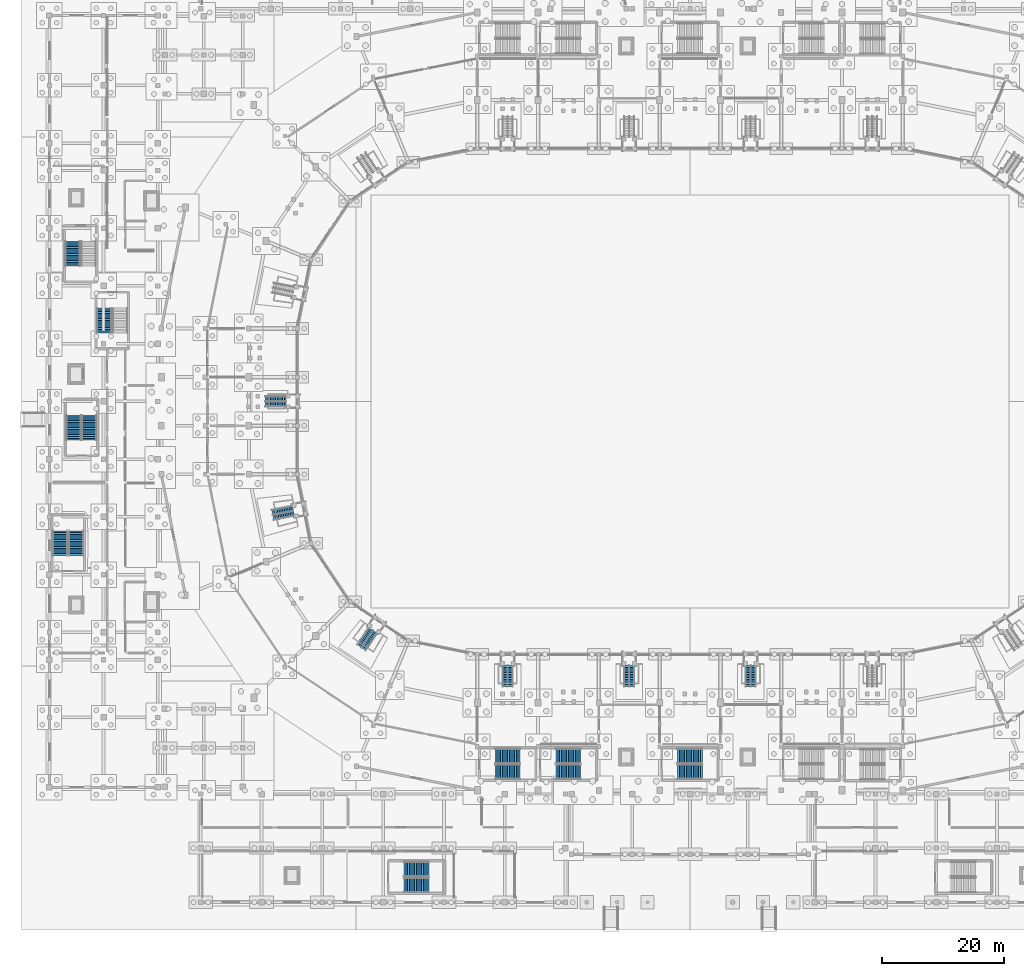
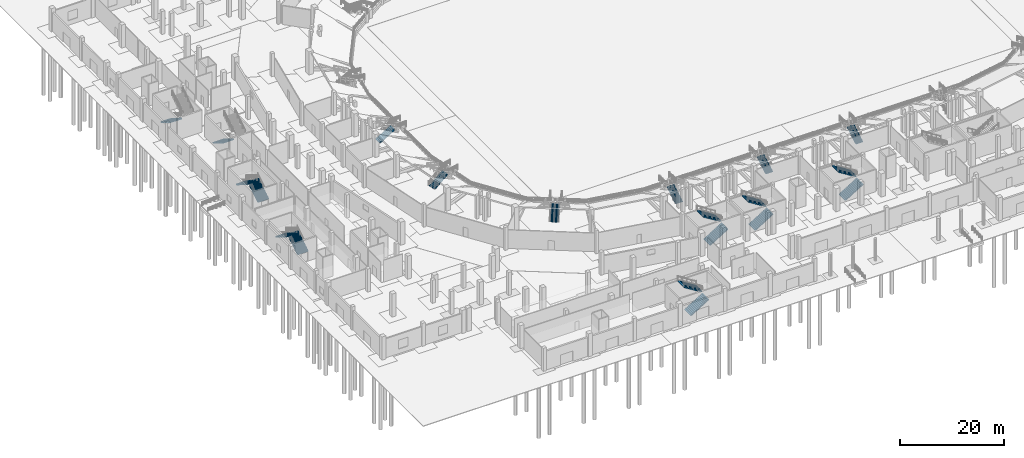
# One storey, part 43 of 68: 20 stair flights, 14 elements without a shape of their own.
"""IFC4 building model written with IfcOpenShell, lengths in metres."""

from ifc_helpers import new_model, si_unit, direction, frame, origin, place, context, subcontext, project, spatial, polyline, outline, extrude, material, type_object, element, aggregate, save


model = new_model("IFC4")

# Units and contexts
model_context = context("Model", 3, precision=1e-05, world=origin(), true_north=direction((0.0, 1.0)))
body_context = subcontext(model_context, "Body", "Model", "MODEL_VIEW")
ifc_project = project(units=[si_unit("LENGTHUNIT", "METRE"), si_unit("AREAUNIT", "SQUARE_METRE"), si_unit("VOLUMEUNIT", "CUBIC_METRE"), si_unit("PLANEANGLEUNIT", "RADIAN"), si_unit("MASSUNIT", "GRAM", prefix="KILO")], contexts=[model_context])

# Site, building, storey
site_placement = place(None, origin())
site = spatial("IfcSite", under=ifc_project, at=site_placement, CompositionType="ELEMENT")
building_placement = place(site_placement, origin())
building = spatial("IfcBuilding", under=site, at=building_placement, Name="Candeia Ridge Stadium", CompositionType="ELEMENT")
storey_placement = place(building_placement, origin())
storey = spatial("IfcBuildingStorey", under=building, at=storey_placement, Name="L00", CompositionType="ELEMENT", Elevation=0.0)

# Stair, stair flights
ifc_material_1 = material(Name="Concrete C40/50", Category="concrete")
stair_type_1 = type_object("IfcStairType", Name="Enclosed Core Half-Turn Stair 2450", PredefinedType="HALF_TURN_STAIR", material=ifc_material_1)
stair_1_placement = place(storey_placement, origin())
stair_1 = element("IfcStair", 1, at=stair_1_placement, inside=storey, type_object=stair_type_1, Name="L00 Enclosed exit stair ST02", PredefinedType="HALF_TURN_STAIR")
ifc_material_2 = material(Name="Precast concrete C40/50", Category="concrete")
stair_flight_type_1 = type_object("IfcStairFlightType", Name="Core Precast Stair Flight 2450", PredefinedType="STRAIGHT", material=ifc_material_2)
stair_flight_1_placement = place(storey_placement, frame((73.949951171875, 22.02490234375, 0.0), z_axis=(0.0, 0.0, 1.0), x_axis=(1.0, 0.0, 0.0)))
stair_flight_1 = element("IfcStairFlight", 2, at=stair_flight_1_placement, type_object=stair_flight_type_1, Name="ST02 flight 1", NumberOfRisers=15, NumberOfTreads=14, PredefinedType="STRAIGHT", RiserHeight=0.18, TreadLength=0.29, context=body_context, shape_type="SweptSolid", body=[
    extrude(outline(polyline([(0.0, 0.0), (0.0, 0.179931640625), (0.2900390625, 0.179931640625), (0.2900390625, 0.360107421875), (0.580078125, 0.360107421875), (0.580078125, 0.5400390625), (0.8701171875, 0.5400390625), (0.8701171875, 0.719970703125), (1.159912109375, 0.719970703125), (1.159912109375, 0.89990234375), (1.449951171875, 0.89990234375), (1.449951171875, 1.080078125), (1.739990234375, 1.080078125), (1.739990234375, 1.260009765625), (2.030029296875, 1.260009765625), (2.030029296875, 1.43994140625), (2.320068359375, 1.43994140625), (2.320068359375, 1.6201171875), (2.610107421875, 1.6201171875), (2.610107421875, 1.800048828125), (2.89990234375, 1.800048828125), (2.89990234375, 1.97998046875), (3.18994140625, 1.97998046875), (3.18994140625, 2.159912109375), (3.47998046875, 2.159912109375), (3.47998046875, 2.340087890625), (3.77001953125, 2.340087890625), (3.77001953125, 2.52001953125), (4.06005859375, 2.52001953125), (4.06005859375, 2.699951171875), (4.06005859375, 2.331787109375), (0.30322265625, 0.0), (0.0, 0.0)])), frame((0.0, 1.22509765625, 0.0), z_axis=(0.0, -1.0, 0.0), x_axis=(1.0, 0.0, 0.0)), (0.0, 0.0, 1.0), 2.449951171875),
])
stair_flight_2_placement = place(storey_placement, frame((78.010009765625, 24.625, 2.699951171875), z_axis=(0.0, 0.0, 1.0), x_axis=(-1.0, 0.0, 0.0)))
stair_flight_2 = element("IfcStairFlight", 3, at=stair_flight_2_placement, type_object=stair_flight_type_1, Name="ST02 flight 2", NumberOfRisers=15, NumberOfTreads=14, PredefinedType="STRAIGHT", RiserHeight=0.18, TreadLength=0.29, context=body_context, shape_type="SweptSolid", body=[
    extrude(outline(polyline([(0.0, 0.0), (0.0, 0.179931640625), (0.2900390625, 0.179931640625), (0.2900390625, 0.360107421875), (0.580078125, 0.360107421875), (0.580078125, 0.5400390625), (0.8701171875, 0.5400390625), (0.8701171875, 0.719970703125), (1.159912109375, 0.719970703125), (1.159912109375, 0.89990234375), (1.449951171875, 0.89990234375), (1.449951171875, 1.080078125), (1.739990234375, 1.080078125), (1.739990234375, 1.260009765625), (2.030029296875, 1.260009765625), (2.030029296875, 1.43994140625), (2.320068359375, 1.43994140625), (2.320068359375, 1.6201171875), (2.610107421875, 1.6201171875), (2.610107421875, 1.800048828125), (2.89990234375, 1.800048828125), (2.89990234375, 1.97998046875), (3.18994140625, 1.97998046875), (3.18994140625, 2.159912109375), (3.47998046875, 2.159912109375), (3.47998046875, 2.340087890625), (3.77001953125, 2.340087890625), (3.77001953125, 2.52001953125), (4.06005859375, 2.52001953125), (4.06005859375, 2.699951171875), (4.06005859375, 2.331787109375), (0.30322265625, 0.0), (0.0, 0.0)])), frame((0.0, 1.22509765625, 0.0), z_axis=(0.0, -1.0, 0.0), x_axis=(1.0, 0.0, 0.0)), (0.0, 0.0, 1.0), 2.449951171875),
])
aggregate(stair_1, [stair_flight_1, stair_flight_2])

stair_2_placement = place(storey_placement, origin())
stair_2 = element("IfcStair", 4, at=stair_2_placement, inside=storey, type_object=stair_type_1, Name="L00 Enclosed exit stair ST05", PredefinedType="HALF_TURN_STAIR")
stair_flight_3_placement = place(storey_placement, frame((4.97509765625, 57.64990234375, 0.0), z_axis=(0.0, 0.0, 1.0), x_axis=(0.0, 1.0, 0.0)))
stair_flight_3 = element("IfcStairFlight", 5, at=stair_flight_3_placement, type_object=stair_flight_type_1, Name="ST05 flight 1", NumberOfRisers=15, NumberOfTreads=14, PredefinedType="STRAIGHT", RiserHeight=0.18, TreadLength=0.29, context=body_context, shape_type="SweptSolid", body=[
    extrude(outline(polyline([(0.0, 0.0), (0.0, 0.179931640625), (0.2900390625, 0.179931640625), (0.2900390625, 0.360107421875), (0.580078125, 0.360107421875), (0.580078125, 0.5400390625), (0.8701171875, 0.5400390625), (0.8701171875, 0.719970703125), (1.159912109375, 0.719970703125), (1.159912109375, 0.89990234375), (1.449951171875, 0.89990234375), (1.449951171875, 1.080078125), (1.739990234375, 1.080078125), (1.739990234375, 1.260009765625), (2.030029296875, 1.260009765625), (2.030029296875, 1.43994140625), (2.320068359375, 1.43994140625), (2.320068359375, 1.6201171875), (2.610107421875, 1.6201171875), (2.610107421875, 1.800048828125), (2.89990234375, 1.800048828125), (2.89990234375, 1.97998046875), (3.18994140625, 1.97998046875), (3.18994140625, 2.159912109375), (3.47998046875, 2.159912109375), (3.47998046875, 2.340087890625), (3.77001953125, 2.340087890625), (3.77001953125, 2.52001953125), (4.06005859375, 2.52001953125), (4.06005859375, 2.699951171875), (4.06005859375, 2.331787109375), (0.30322265625, 0.0), (0.0, 0.0)])), frame((0.0, 1.22509765625, 0.0), z_axis=(0.0, -1.0, 0.0), x_axis=(1.0, 0.0, 0.0)), (0.0, 0.0, 1.0), 2.449951171875),
])
stair_flight_4_placement = place(storey_placement, frame((2.375, 61.7099609375, 2.699951171875), z_axis=(0.0, 0.0, 1.0), x_axis=(0.0, -1.0, 0.0)))
stair_flight_4 = element("IfcStairFlight", 6, at=stair_flight_4_placement, type_object=stair_flight_type_1, Name="ST05 flight 2", NumberOfRisers=15, NumberOfTreads=14, PredefinedType="STRAIGHT", RiserHeight=0.18, TreadLength=0.29, context=body_context, shape_type="SweptSolid", body=[
    extrude(outline(polyline([(0.0, 0.0), (0.0, 0.179931640625), (0.2900390625, 0.179931640625), (0.2900390625, 0.360107421875), (0.580078125, 0.360107421875), (0.580078125, 0.5400390625), (0.8701171875, 0.5400390625), (0.8701171875, 0.719970703125), (1.159912109375, 0.719970703125), (1.159912109375, 0.89990234375), (1.449951171875, 0.89990234375), (1.449951171875, 1.080078125), (1.739990234375, 1.080078125), (1.739990234375, 1.260009765625), (2.030029296875, 1.260009765625), (2.030029296875, 1.43994140625), (2.320068359375, 1.43994140625), (2.320068359375, 1.6201171875), (2.610107421875, 1.6201171875), (2.610107421875, 1.800048828125), (2.89990234375, 1.800048828125), (2.89990234375, 1.97998046875), (3.18994140625, 1.97998046875), (3.18994140625, 2.159912109375), (3.47998046875, 2.159912109375), (3.47998046875, 2.340087890625), (3.77001953125, 2.340087890625), (3.77001953125, 2.52001953125), (4.06005859375, 2.52001953125), (4.06005859375, 2.699951171875), (4.06005859375, 2.331787109375), (0.30322265625, 0.0), (0.0, 0.0)])), frame((0.0, 1.22509765625, 0.0), z_axis=(0.0, -1.0, 0.0), x_axis=(1.0, 0.0, 0.0)), (0.0, 0.0, 1.0), 2.449951171875),
])
aggregate(stair_2, [stair_flight_3, stair_flight_4])

# Stair, stair flight
stair_3_placement = place(storey_placement, origin())
stair_3 = element("IfcStair", 7, at=stair_3_placement, inside=storey, type_object=stair_type_1, Name="L00 Enclosed exit stair ST06", PredefinedType="HALF_TURN_STAIR")
stair_flight_5_placement = place(storey_placement, frame((4.425048828125, 109.35009765625, 0.0), z_axis=(0.0, 0.0, 1.0), x_axis=(0.0, -1.0, 0.0)))
stair_flight_5 = element("IfcStairFlight", 8, at=stair_flight_5_placement, type_object=stair_flight_type_1, Name="ST06 flight 1", NumberOfRisers=15, NumberOfTreads=14, PredefinedType="STRAIGHT", RiserHeight=0.18, TreadLength=0.29, context=body_context, shape_type="SweptSolid", body=[
    extrude(outline(polyline([(0.0, 0.0), (0.0, 0.179931640625), (0.2900390625, 0.179931640625), (0.2900390625, 0.360107421875), (0.580078125, 0.360107421875), (0.580078125, 0.5400390625), (0.8701171875, 0.5400390625), (0.8701171875, 0.719970703125), (1.159912109375, 0.719970703125), (1.159912109375, 0.89990234375), (1.449951171875, 0.89990234375), (1.449951171875, 1.080078125), (1.739990234375, 1.080078125), (1.739990234375, 1.260009765625), (2.030029296875, 1.260009765625), (2.030029296875, 1.43994140625), (2.320068359375, 1.43994140625), (2.320068359375, 1.6201171875), (2.610107421875, 1.6201171875), (2.610107421875, 1.800048828125), (2.89990234375, 1.800048828125), (2.89990234375, 1.97998046875), (3.18994140625, 1.97998046875), (3.18994140625, 2.159912109375), (3.47998046875, 2.159912109375), (3.47998046875, 2.340087890625), (3.77001953125, 2.340087890625), (3.77001953125, 2.52001953125), (4.06005859375, 2.52001953125), (4.06005859375, 2.699951171875), (4.06005859375, 2.331787109375), (0.30322265625, 0.0), (0.0, 0.0)])), frame((0.0, 1.22509765625, 0.0), z_axis=(0.0, -1.0, 0.0), x_axis=(1.0, 0.0, 0.0)), (0.0, 0.0, 1.0), 2.449951171875),
])
aggregate(stair_3, [stair_flight_5])

# Stair, stair flights
stair_4_placement = place(storey_placement, origin())
stair_4 = element("IfcStair", 9, at=stair_4_placement, inside=storey, type_object=stair_type_1, Name="L00 Enclosed exit stair ST07", PredefinedType="HALF_TURN_STAIR")
stair_flight_6_placement = place(storey_placement, frame((7.175048828125, 76.64990234375, 0.0), z_axis=(0.0, 0.0, 1.0), x_axis=(0.0, 1.0, 0.0)))
stair_flight_6 = element("IfcStairFlight", 10, at=stair_flight_6_placement, type_object=stair_flight_type_1, Name="ST07 flight 1", NumberOfRisers=15, NumberOfTreads=14, PredefinedType="STRAIGHT", RiserHeight=0.18, TreadLength=0.29, context=body_context, shape_type="SweptSolid", body=[
    extrude(outline(polyline([(0.0, 0.0), (0.0, 0.179931640625), (0.2900390625, 0.179931640625), (0.2900390625, 0.360107421875), (0.580078125, 0.360107421875), (0.580078125, 0.5400390625), (0.8701171875, 0.5400390625), (0.8701171875, 0.719970703125), (1.159912109375, 0.719970703125), (1.159912109375, 0.89990234375), (1.449951171875, 0.89990234375), (1.449951171875, 1.080078125), (1.739990234375, 1.080078125), (1.739990234375, 1.260009765625), (2.030029296875, 1.260009765625), (2.030029296875, 1.43994140625), (2.320068359375, 1.43994140625), (2.320068359375, 1.6201171875), (2.610107421875, 1.6201171875), (2.610107421875, 1.800048828125), (2.89990234375, 1.800048828125), (2.89990234375, 1.97998046875), (3.18994140625, 1.97998046875), (3.18994140625, 2.159912109375), (3.47998046875, 2.159912109375), (3.47998046875, 2.340087890625), (3.77001953125, 2.340087890625), (3.77001953125, 2.52001953125), (4.06005859375, 2.52001953125), (4.06005859375, 2.699951171875), (4.06005859375, 2.331787109375), (0.30322265625, 0.0), (0.0, 0.0)])), frame((0.0, 1.22509765625, 0.0), z_axis=(0.0, -1.0, 0.0), x_axis=(1.0, 0.0, 0.0)), (0.0, 0.0, 1.0), 2.449951171875),
])
stair_flight_7_placement = place(storey_placement, frame((4.574951171875, 80.7099609375, 2.699951171875), z_axis=(0.0, 0.0, 1.0), x_axis=(0.0, -1.0, 0.0)))
stair_flight_7 = element("IfcStairFlight", 11, at=stair_flight_7_placement, type_object=stair_flight_type_1, Name="ST07 flight 2", NumberOfRisers=15, NumberOfTreads=14, PredefinedType="STRAIGHT", RiserHeight=0.18, TreadLength=0.29, context=body_context, shape_type="SweptSolid", body=[
    extrude(outline(polyline([(0.0, 0.0), (0.0, 0.179931640625), (0.2900390625, 0.179931640625), (0.2900390625, 0.360107421875), (0.580078125, 0.360107421875), (0.580078125, 0.5400390625), (0.8701171875, 0.5400390625), (0.8701171875, 0.719970703125), (1.159912109375, 0.719970703125), (1.159912109375, 0.89990234375), (1.449951171875, 0.89990234375), (1.449951171875, 1.080078125), (1.739990234375, 1.080078125), (1.739990234375, 1.260009765625), (2.030029296875, 1.260009765625), (2.030029296875, 1.43994140625), (2.320068359375, 1.43994140625), (2.320068359375, 1.6201171875), (2.610107421875, 1.6201171875), (2.610107421875, 1.800048828125), (2.89990234375, 1.800048828125), (2.89990234375, 1.97998046875), (3.18994140625, 1.97998046875), (3.18994140625, 2.159912109375), (3.47998046875, 2.159912109375), (3.47998046875, 2.340087890625), (3.77001953125, 2.340087890625), (3.77001953125, 2.52001953125), (4.06005859375, 2.52001953125), (4.06005859375, 2.699951171875), (4.06005859375, 2.331787109375), (0.30322265625, 0.0), (0.0, 0.0)])), frame((0.0, 1.22509765625, 0.0), z_axis=(0.0, -1.0, 0.0), x_axis=(1.0, 0.0, 0.0)), (0.0, 0.0, 1.0), 2.449951171875),
])
aggregate(stair_4, [stair_flight_6, stair_flight_7])

# Stair, stair flight
stair_5_placement = place(storey_placement, origin())
stair_5 = element("IfcStair", 12, at=stair_5_placement, inside=storey, type_object=stair_type_1, Name="L00 Enclosed exit stair ST08", PredefinedType="HALF_TURN_STAIR")
stair_flight_8_placement = place(storey_placement, frame((9.625, 98.35009765625, 0.0), z_axis=(0.0, 0.0, 1.0), x_axis=(0.0, -1.0, 0.0)))
stair_flight_8 = element("IfcStairFlight", 13, at=stair_flight_8_placement, type_object=stair_flight_type_1, Name="ST08 flight 1", NumberOfRisers=15, NumberOfTreads=14, PredefinedType="STRAIGHT", RiserHeight=0.18, TreadLength=0.29, context=body_context, shape_type="SweptSolid", body=[
    extrude(outline(polyline([(0.0, 0.0), (0.0, 0.179931640625), (0.2900390625, 0.179931640625), (0.2900390625, 0.360107421875), (0.580078125, 0.360107421875), (0.580078125, 0.5400390625), (0.8701171875, 0.5400390625), (0.8701171875, 0.719970703125), (1.159912109375, 0.719970703125), (1.159912109375, 0.89990234375), (1.449951171875, 0.89990234375), (1.449951171875, 1.080078125), (1.739990234375, 1.080078125), (1.739990234375, 1.260009765625), (2.030029296875, 1.260009765625), (2.030029296875, 1.43994140625), (2.320068359375, 1.43994140625), (2.320068359375, 1.6201171875), (2.610107421875, 1.6201171875), (2.610107421875, 1.800048828125), (2.89990234375, 1.800048828125), (2.89990234375, 1.97998046875), (3.18994140625, 1.97998046875), (3.18994140625, 2.159912109375), (3.47998046875, 2.159912109375), (3.47998046875, 2.340087890625), (3.77001953125, 2.340087890625), (3.77001953125, 2.52001953125), (4.06005859375, 2.52001953125), (4.06005859375, 2.699951171875), (4.06005859375, 2.331787109375), (0.30322265625, 0.0), (0.0, 0.0)])), frame((0.0, 1.22509765625, 0.0), z_axis=(0.0, -1.0, 0.0), x_axis=(1.0, 0.0, 0.0)), (0.0, 0.0, 1.0), 2.449951171875),
])
aggregate(stair_5, [stair_flight_8])

# Stair, stair flights
stair_6_placement = place(storey_placement, origin())
stair_6 = element("IfcStair", 14, at=stair_6_placement, inside=storey, type_object=stair_type_1, Name="L00 Enclosed exit stair ST11", PredefinedType="HALF_TURN_STAIR")
stair_flight_9_placement = place(storey_placement, frame((83.949951171875, 22.02490234375, 0.0), z_axis=(0.0, 0.0, 1.0), x_axis=(1.0, 0.0, 0.0)))
stair_flight_9 = element("IfcStairFlight", 15, at=stair_flight_9_placement, type_object=stair_flight_type_1, Name="ST11 flight 1", NumberOfRisers=15, NumberOfTreads=14, PredefinedType="STRAIGHT", RiserHeight=0.18, TreadLength=0.29, context=body_context, shape_type="SweptSolid", body=[
    extrude(outline(polyline([(0.0, 0.0), (0.0, 0.179931640625), (0.2900390625, 0.179931640625), (0.2900390625, 0.360107421875), (0.580078125, 0.360107421875), (0.580078125, 0.5400390625), (0.8701171875, 0.5400390625), (0.8701171875, 0.719970703125), (1.159912109375, 0.719970703125), (1.159912109375, 0.89990234375), (1.449951171875, 0.89990234375), (1.449951171875, 1.080078125), (1.739990234375, 1.080078125), (1.739990234375, 1.260009765625), (2.030029296875, 1.260009765625), (2.030029296875, 1.43994140625), (2.320068359375, 1.43994140625), (2.320068359375, 1.6201171875), (2.610107421875, 1.6201171875), (2.610107421875, 1.800048828125), (2.89990234375, 1.800048828125), (2.89990234375, 1.97998046875), (3.18994140625, 1.97998046875), (3.18994140625, 2.159912109375), (3.47998046875, 2.159912109375), (3.47998046875, 2.340087890625), (3.77001953125, 2.340087890625), (3.77001953125, 2.52001953125), (4.06005859375, 2.52001953125), (4.06005859375, 2.699951171875), (4.06005859375, 2.331787109375), (0.30322265625, 0.0), (0.0, 0.0)])), frame((0.0, 1.22509765625, 0.0), z_axis=(0.0, -1.0, 0.0), x_axis=(1.0, 0.0, 0.0)), (0.0, 0.0, 1.0), 2.449951171875),
])
stair_flight_10_placement = place(storey_placement, frame((88.010009765625, 24.625, 2.699951171875), z_axis=(0.0, 0.0, 1.0), x_axis=(-1.0, 0.0, 0.0)))
stair_flight_10 = element("IfcStairFlight", 16, at=stair_flight_10_placement, type_object=stair_flight_type_1, Name="ST11 flight 2", NumberOfRisers=15, NumberOfTreads=14, PredefinedType="STRAIGHT", RiserHeight=0.18, TreadLength=0.29, context=body_context, shape_type="SweptSolid", body=[
    extrude(outline(polyline([(0.0, 0.0), (0.0, 0.179931640625), (0.2900390625, 0.179931640625), (0.2900390625, 0.360107421875), (0.580078125, 0.360107421875), (0.580078125, 0.5400390625), (0.8701171875, 0.5400390625), (0.8701171875, 0.719970703125), (1.159912109375, 0.719970703125), (1.159912109375, 0.89990234375), (1.449951171875, 0.89990234375), (1.449951171875, 1.080078125), (1.739990234375, 1.080078125), (1.739990234375, 1.260009765625), (2.030029296875, 1.260009765625), (2.030029296875, 1.43994140625), (2.320068359375, 1.43994140625), (2.320068359375, 1.6201171875), (2.610107421875, 1.6201171875), (2.610107421875, 1.800048828125), (2.89990234375, 1.800048828125), (2.89990234375, 1.97998046875), (3.18994140625, 1.97998046875), (3.18994140625, 2.159912109375), (3.47998046875, 2.159912109375), (3.47998046875, 2.340087890625), (3.77001953125, 2.340087890625), (3.77001953125, 2.52001953125), (4.06005859375, 2.52001953125), (4.06005859375, 2.699951171875), (4.06005859375, 2.331787109375), (0.30322265625, 0.0), (0.0, 0.0)])), frame((0.0, 1.22509765625, 0.0), z_axis=(0.0, -1.0, 0.0), x_axis=(1.0, 0.0, 0.0)), (0.0, 0.0, 1.0), 2.449951171875),
])
aggregate(stair_6, [stair_flight_9, stair_flight_10])

stair_7_placement = place(storey_placement, origin())
stair_7 = element("IfcStair", 17, at=stair_7_placement, inside=storey, type_object=stair_type_1, Name="L00 Enclosed exit stair ST13", PredefinedType="HALF_TURN_STAIR")
stair_flight_11_placement = place(storey_placement, frame((58.949951171875, 3.425048828125, 0.0), z_axis=(0.0, 0.0, 1.0), x_axis=(1.0, 0.0, 0.0)))
stair_flight_11 = element("IfcStairFlight", 18, at=stair_flight_11_placement, type_object=stair_flight_type_1, Name="ST13 flight 1", NumberOfRisers=15, NumberOfTreads=14, PredefinedType="STRAIGHT", RiserHeight=0.18, TreadLength=0.29, context=body_context, shape_type="SweptSolid", body=[
    extrude(outline(polyline([(0.0, 0.0), (0.0, 0.179931640625), (0.2900390625, 0.179931640625), (0.2900390625, 0.360107421875), (0.580078125, 0.360107421875), (0.580078125, 0.5400390625), (0.8701171875, 0.5400390625), (0.8701171875, 0.719970703125), (1.159912109375, 0.719970703125), (1.159912109375, 0.89990234375), (1.449951171875, 0.89990234375), (1.449951171875, 1.080078125), (1.739990234375, 1.080078125), (1.739990234375, 1.260009765625), (2.030029296875, 1.260009765625), (2.030029296875, 1.43994140625), (2.320068359375, 1.43994140625), (2.320068359375, 1.6201171875), (2.610107421875, 1.6201171875), (2.610107421875, 1.800048828125), (2.89990234375, 1.800048828125), (2.89990234375, 1.97998046875), (3.18994140625, 1.97998046875), (3.18994140625, 2.159912109375), (3.47998046875, 2.159912109375), (3.47998046875, 2.340087890625), (3.77001953125, 2.340087890625), (3.77001953125, 2.52001953125), (4.06005859375, 2.52001953125), (4.06005859375, 2.699951171875), (4.06005859375, 2.331787109375), (0.30322265625, 0.0), (0.0, 0.0)])), frame((0.0, 1.22509765625, 0.0), z_axis=(0.0, -1.0, 0.0), x_axis=(1.0, 0.0, 0.0)), (0.0, 0.0, 1.0), 2.449951171875),
])
stair_flight_12_placement = place(storey_placement, frame((63.010009765625, 6.02490234375, 2.699951171875), z_axis=(0.0, 0.0, 1.0), x_axis=(-1.0, 0.0, 0.0)))
stair_flight_12 = element("IfcStairFlight", 19, at=stair_flight_12_placement, type_object=stair_flight_type_1, Name="ST13 flight 2", NumberOfRisers=15, NumberOfTreads=14, PredefinedType="STRAIGHT", RiserHeight=0.18, TreadLength=0.29, context=body_context, shape_type="SweptSolid", body=[
    extrude(outline(polyline([(0.0, 0.0), (0.0, 0.179931640625), (0.2900390625, 0.179931640625), (0.2900390625, 0.360107421875), (0.580078125, 0.360107421875), (0.580078125, 0.5400390625), (0.8701171875, 0.5400390625), (0.8701171875, 0.719970703125), (1.159912109375, 0.719970703125), (1.159912109375, 0.89990234375), (1.449951171875, 0.89990234375), (1.449951171875, 1.080078125), (1.739990234375, 1.080078125), (1.739990234375, 1.260009765625), (2.030029296875, 1.260009765625), (2.030029296875, 1.43994140625), (2.320068359375, 1.43994140625), (2.320068359375, 1.6201171875), (2.610107421875, 1.6201171875), (2.610107421875, 1.800048828125), (2.89990234375, 1.800048828125), (2.89990234375, 1.97998046875), (3.18994140625, 1.97998046875), (3.18994140625, 2.159912109375), (3.47998046875, 2.159912109375), (3.47998046875, 2.340087890625), (3.77001953125, 2.340087890625), (3.77001953125, 2.52001953125), (4.06005859375, 2.52001953125), (4.06005859375, 2.699951171875), (4.06005859375, 2.331787109375), (0.30322265625, 0.0), (0.0, 0.0)])), frame((0.0, 1.22509765625, 0.0), z_axis=(0.0, -1.0, 0.0), x_axis=(1.0, 0.0, 0.0)), (0.0, 0.0, 1.0), 2.449951171875),
])
aggregate(stair_7, [stair_flight_11, stair_flight_12])

stair_8_placement = place(storey_placement, origin())
stair_8 = element("IfcStair", 20, at=stair_8_placement, inside=storey, type_object=stair_type_1, Name="L00 Enclosed exit stair ST18", PredefinedType="HALF_TURN_STAIR")
stair_flight_13_placement = place(storey_placement, frame((103.949951171875, 22.02490234375, 0.0), z_axis=(0.0, 0.0, 1.0), x_axis=(1.0, 0.0, 0.0)))
stair_flight_13 = element("IfcStairFlight", 21, at=stair_flight_13_placement, type_object=stair_flight_type_1, Name="ST18 flight 1", NumberOfRisers=15, NumberOfTreads=14, PredefinedType="STRAIGHT", RiserHeight=0.18, TreadLength=0.29, context=body_context, shape_type="SweptSolid", body=[
    extrude(outline(polyline([(0.0, 0.0), (0.0, 0.179931640625), (0.2900390625, 0.179931640625), (0.2900390625, 0.360107421875), (0.580078125, 0.360107421875), (0.580078125, 0.5400390625), (0.8701171875, 0.5400390625), (0.8701171875, 0.719970703125), (1.159912109375, 0.719970703125), (1.159912109375, 0.89990234375), (1.449951171875, 0.89990234375), (1.449951171875, 1.080078125), (1.739990234375, 1.080078125), (1.739990234375, 1.260009765625), (2.030029296875, 1.260009765625), (2.030029296875, 1.43994140625), (2.320068359375, 1.43994140625), (2.320068359375, 1.6201171875), (2.610107421875, 1.6201171875), (2.610107421875, 1.800048828125), (2.89990234375, 1.800048828125), (2.89990234375, 1.97998046875), (3.18994140625, 1.97998046875), (3.18994140625, 2.159912109375), (3.47998046875, 2.159912109375), (3.47998046875, 2.340087890625), (3.77001953125, 2.340087890625), (3.77001953125, 2.52001953125), (4.06005859375, 2.52001953125), (4.06005859375, 2.699951171875), (4.06005859375, 2.331787109375), (0.30322265625, 0.0), (0.0, 0.0)])), frame((0.0, 1.22509765625, 0.0), z_axis=(0.0, -1.0, 0.0), x_axis=(1.0, 0.0, 0.0)), (0.0, 0.0, 1.0), 2.449951171875),
])
stair_flight_14_placement = place(storey_placement, frame((108.010009765625, 24.625, 2.699951171875), z_axis=(0.0, 0.0, 1.0), x_axis=(-1.0, 0.0, 0.0)))
stair_flight_14 = element("IfcStairFlight", 22, at=stair_flight_14_placement, type_object=stair_flight_type_1, Name="ST18 flight 2", NumberOfRisers=15, NumberOfTreads=14, PredefinedType="STRAIGHT", RiserHeight=0.18, TreadLength=0.29, context=body_context, shape_type="SweptSolid", body=[
    extrude(outline(polyline([(0.0, 0.0), (0.0, 0.179931640625), (0.2900390625, 0.179931640625), (0.2900390625, 0.360107421875), (0.580078125, 0.360107421875), (0.580078125, 0.5400390625), (0.8701171875, 0.5400390625), (0.8701171875, 0.719970703125), (1.159912109375, 0.719970703125), (1.159912109375, 0.89990234375), (1.449951171875, 0.89990234375), (1.449951171875, 1.080078125), (1.739990234375, 1.080078125), (1.739990234375, 1.260009765625), (2.030029296875, 1.260009765625), (2.030029296875, 1.43994140625), (2.320068359375, 1.43994140625), (2.320068359375, 1.6201171875), (2.610107421875, 1.6201171875), (2.610107421875, 1.800048828125), (2.89990234375, 1.800048828125), (2.89990234375, 1.97998046875), (3.18994140625, 1.97998046875), (3.18994140625, 2.159912109375), (3.47998046875, 2.159912109375), (3.47998046875, 2.340087890625), (3.77001953125, 2.340087890625), (3.77001953125, 2.52001953125), (4.06005859375, 2.52001953125), (4.06005859375, 2.699951171875), (4.06005859375, 2.331787109375), (0.30322265625, 0.0), (0.0, 0.0)])), frame((0.0, 1.22509765625, 0.0), z_axis=(0.0, -1.0, 0.0), x_axis=(1.0, 0.0, 0.0)), (0.0, 0.0, 1.0), 2.449951171875),
])
aggregate(stair_8, [stair_flight_13, stair_flight_14])

# Stair, stair flight
ifc_material_3 = material(Name="Precast concrete C45/55", Category="concrete")
stair_type_2 = type_object("IfcStairType", Name="Spectator Vomitory Straight Stair 2200", PredefinedType="STRAIGHT_RUN_STAIR", material=ifc_material_3)
stair_9_placement = place(storey_placement, origin())
stair_9 = element("IfcStair", 23, at=stair_9_placement, inside=storey, type_object=stair_type_2, Name="Vomitory stair VS07", PredefinedType="STRAIGHT_RUN_STAIR")
stair_flight_type_2 = type_object("IfcStairFlightType", Name="Vomitory Precast Stair Flight 2200", PredefinedType="STRAIGHT", material=ifc_material_3)
stair_flight_15_placement = place(storey_placement, frame((36.10791015625, 83.0, 0.0), z_axis=(0.0, 0.0, 1.0), x_axis=(1.0, 0.0, 0.0)))
stair_flight_15 = element("IfcStairFlight", 24, at=stair_flight_15_placement, type_object=stair_flight_type_2, Name="VS07 flight 1", NumberOfRisers=13, NumberOfTreads=12, PredefinedType="STRAIGHT", RiserHeight=0.172308, TreadLength=0.285, context=body_context, shape_type="SweptSolid", body=[
    extrude(outline(polyline([(0.0, 0.0), (0.0, 0.17236328125), (0.284912109375, 0.17236328125), (0.284912109375, 0.3447265625), (0.570068359375, 0.3447265625), (0.570068359375, 0.516845703125), (0.85498046875, 0.516845703125), (0.85498046875, 0.689208984375), (1.139892578125, 0.689208984375), (1.139892578125, 0.861572265625), (1.425048828125, 0.861572265625), (1.425048828125, 1.033935546875), (1.7099609375, 1.033935546875), (1.7099609375, 1.2060546875), (1.9951171875, 1.2060546875), (1.9951171875, 1.37841796875), (2.280029296875, 1.37841796875), (2.280029296875, 1.55078125), (2.56494140625, 1.55078125), (2.56494140625, 1.72314453125), (2.85009765625, 1.72314453125), (2.85009765625, 1.8955078125), (3.135009765625, 1.8955078125), (3.135009765625, 2.067626953125), (3.419921875, 2.067626953125), (3.419921875, 2.239990234375), (3.419921875, 1.857421875), (0.34765625, 0.0), (0.0, 0.0)])), frame((0.0, 0.800048828125, 0.0), z_axis=(0.0, -1.0, 0.0), x_axis=(1.0, 0.0, 0.0)), (0.0, 0.0, 1.0), 1.60009765625),
])
aggregate(stair_9, [stair_flight_15])

stair_10_placement = place(storey_placement, origin())
stair_10 = element("IfcStair", 25, at=stair_10_placement, inside=storey, type_object=stair_type_2, Name="Vomitory stair VS08", PredefinedType="STRAIGHT_RUN_STAIR")
stair_flight_16_placement = place(storey_placement, frame((37.37158203125, 64.310791015625, 0.0), z_axis=(0.0, 0.0, 1.0), x_axis=(0.980785280403, 0.195090322016, 0.0)))
stair_flight_16 = element("IfcStairFlight", 26, at=stair_flight_16_placement, type_object=stair_flight_type_2, Name="VS08 flight 1", NumberOfRisers=13, NumberOfTreads=12, PredefinedType="STRAIGHT", RiserHeight=0.172308, TreadLength=0.285, context=body_context, shape_type="SweptSolid", body=[
    extrude(outline(polyline([(0.0, 0.0), (0.0, 0.17236328125), (0.284912109375, 0.17236328125), (0.284912109375, 0.3447265625), (0.570068359375, 0.3447265625), (0.570068359375, 0.516845703125), (0.85498046875, 0.516845703125), (0.85498046875, 0.689208984375), (1.139892578125, 0.689208984375), (1.139892578125, 0.861572265625), (1.425048828125, 0.861572265625), (1.425048828125, 1.033935546875), (1.7099609375, 1.033935546875), (1.7099609375, 1.2060546875), (1.9951171875, 1.2060546875), (1.9951171875, 1.37841796875), (2.280029296875, 1.37841796875), (2.280029296875, 1.55078125), (2.56494140625, 1.55078125), (2.56494140625, 1.72314453125), (2.85009765625, 1.72314453125), (2.85009765625, 1.8955078125), (3.135009765625, 1.8955078125), (3.135009765625, 2.067626953125), (3.419921875, 2.067626953125), (3.419921875, 2.239990234375), (3.419921875, 1.857421875), (0.34765625, 0.0), (0.0, 0.0)])), frame((0.0, 0.800048828125, 0.0), z_axis=(0.0, -1.0, 0.0), x_axis=(1.0, 0.0, 0.0)), (0.0, 0.0, 1.0), 1.60009765625),
])
aggregate(stair_10, [stair_flight_16])

stair_11_placement = place(storey_placement, origin())
stair_11 = element("IfcStair", 27, at=stair_11_placement, inside=storey, type_object=stair_type_2, Name="Vomitory stair VS09", PredefinedType="STRAIGHT_RUN_STAIR")
stair_flight_17_placement = place(storey_placement, frame((51.950927734375, 42.4912109375, 0.0), z_axis=(0.0, 0.0, 1.0), x_axis=(0.55557023302, 0.831469612303, 0.0)))
stair_flight_17 = element("IfcStairFlight", 28, at=stair_flight_17_placement, type_object=stair_flight_type_2, Name="VS09 flight 1", NumberOfRisers=13, NumberOfTreads=12, PredefinedType="STRAIGHT", RiserHeight=0.172308, TreadLength=0.285, context=body_context, shape_type="SweptSolid", body=[
    extrude(outline(polyline([(0.0, 0.0), (0.0, 0.17236328125), (0.284912109375, 0.17236328125), (0.284912109375, 0.3447265625), (0.570068359375, 0.3447265625), (0.570068359375, 0.516845703125), (0.85498046875, 0.516845703125), (0.85498046875, 0.689208984375), (1.139892578125, 0.689208984375), (1.139892578125, 0.861572265625), (1.425048828125, 0.861572265625), (1.425048828125, 1.033935546875), (1.7099609375, 1.033935546875), (1.7099609375, 1.2060546875), (1.9951171875, 1.2060546875), (1.9951171875, 1.37841796875), (2.280029296875, 1.37841796875), (2.280029296875, 1.55078125), (2.56494140625, 1.55078125), (2.56494140625, 1.72314453125), (2.85009765625, 1.72314453125), (2.85009765625, 1.8955078125), (3.135009765625, 1.8955078125), (3.135009765625, 2.067626953125), (3.419921875, 2.067626953125), (3.419921875, 2.239990234375), (3.419921875, 1.857421875), (0.34765625, 0.0), (0.0, 0.0)])), frame((0.0, 0.800048828125, 0.0), z_axis=(0.0, -1.0, 0.0), x_axis=(1.0, 0.0, 0.0)), (0.0, 0.0, 1.0), 1.60009765625),
])
aggregate(stair_11, [stair_flight_17])

stair_12_placement = place(storey_placement, origin())
stair_12 = element("IfcStair", 29, at=stair_12_placement, inside=storey, type_object=stair_type_2, Name="Vomitory stair VS10", PredefinedType="STRAIGHT_RUN_STAIR")
stair_flight_18_placement = place(storey_placement, frame((76.0, 36.10791015625, 0.0), z_axis=(0.0, 0.0, 1.0), x_axis=(0.0, 1.0, 0.0)))
stair_flight_18 = element("IfcStairFlight", 30, at=stair_flight_18_placement, type_object=stair_flight_type_2, Name="VS10 flight 1", NumberOfRisers=13, NumberOfTreads=12, PredefinedType="STRAIGHT", RiserHeight=0.172308, TreadLength=0.285, context=body_context, shape_type="SweptSolid", body=[
    extrude(outline(polyline([(0.0, 0.0), (0.0, 0.17236328125), (0.284912109375, 0.17236328125), (0.284912109375, 0.3447265625), (0.570068359375, 0.3447265625), (0.570068359375, 0.516845703125), (0.85498046875, 0.516845703125), (0.85498046875, 0.689208984375), (1.139892578125, 0.689208984375), (1.139892578125, 0.861572265625), (1.425048828125, 0.861572265625), (1.425048828125, 1.033935546875), (1.7099609375, 1.033935546875), (1.7099609375, 1.2060546875), (1.9951171875, 1.2060546875), (1.9951171875, 1.37841796875), (2.280029296875, 1.37841796875), (2.280029296875, 1.55078125), (2.56494140625, 1.55078125), (2.56494140625, 1.72314453125), (2.85009765625, 1.72314453125), (2.85009765625, 1.8955078125), (3.135009765625, 1.8955078125), (3.135009765625, 2.067626953125), (3.419921875, 2.067626953125), (3.419921875, 2.239990234375), (3.419921875, 1.857421875), (0.34765625, 0.0), (0.0, 0.0)])), frame((0.0, 0.800048828125, 0.0), z_axis=(0.0, -1.0, 0.0), x_axis=(1.0, 0.0, 0.0)), (0.0, 0.0, 1.0), 1.60009765625),
])
aggregate(stair_12, [stair_flight_18])

stair_13_placement = place(storey_placement, origin())
stair_13 = element("IfcStair", 31, at=stair_13_placement, inside=storey, type_object=stair_type_2, Name="Vomitory stair VS11", PredefinedType="STRAIGHT_RUN_STAIR")
stair_flight_19_placement = place(storey_placement, frame((96.0, 36.10791015625, 0.0), z_axis=(0.0, 0.0, 1.0), x_axis=(0.0, 1.0, 0.0)))
stair_flight_19 = element("IfcStairFlight", 32, at=stair_flight_19_placement, type_object=stair_flight_type_2, Name="VS11 flight 1", NumberOfRisers=13, NumberOfTreads=12, PredefinedType="STRAIGHT", RiserHeight=0.172308, TreadLength=0.285, context=body_context, shape_type="SweptSolid", body=[
    extrude(outline(polyline([(0.0, 0.0), (0.0, 0.17236328125), (0.284912109375, 0.17236328125), (0.284912109375, 0.3447265625), (0.570068359375, 0.3447265625), (0.570068359375, 0.516845703125), (0.85498046875, 0.516845703125), (0.85498046875, 0.689208984375), (1.139892578125, 0.689208984375), (1.139892578125, 0.861572265625), (1.425048828125, 0.861572265625), (1.425048828125, 1.033935546875), (1.7099609375, 1.033935546875), (1.7099609375, 1.2060546875), (1.9951171875, 1.2060546875), (1.9951171875, 1.37841796875), (2.280029296875, 1.37841796875), (2.280029296875, 1.55078125), (2.56494140625, 1.55078125), (2.56494140625, 1.72314453125), (2.85009765625, 1.72314453125), (2.85009765625, 1.8955078125), (3.135009765625, 1.8955078125), (3.135009765625, 2.067626953125), (3.419921875, 2.067626953125), (3.419921875, 2.239990234375), (3.419921875, 1.857421875), (0.34765625, 0.0), (0.0, 0.0)])), frame((0.0, 0.800048828125, 0.0), z_axis=(0.0, -1.0, 0.0), x_axis=(1.0, 0.0, 0.0)), (0.0, 0.0, 1.0), 1.60009765625),
])
aggregate(stair_13, [stair_flight_19])

stair_14_placement = place(storey_placement, origin())
stair_14 = element("IfcStair", 33, at=stair_14_placement, inside=storey, type_object=stair_type_2, Name="Vomitory stair VS12", PredefinedType="STRAIGHT_RUN_STAIR")
stair_flight_20_placement = place(storey_placement, frame((116.0, 36.10791015625, 0.0), z_axis=(0.0, 0.0, 1.0), x_axis=(0.0, 1.0, 0.0)))
stair_flight_20 = element("IfcStairFlight", 34, at=stair_flight_20_placement, type_object=stair_flight_type_2, Name="VS12 flight 1", NumberOfRisers=13, NumberOfTreads=12, PredefinedType="STRAIGHT", RiserHeight=0.172308, TreadLength=0.285, context=body_context, shape_type="SweptSolid", body=[
    extrude(outline(polyline([(0.0, 0.0), (0.0, 0.17236328125), (0.284912109375, 0.17236328125), (0.284912109375, 0.3447265625), (0.570068359375, 0.3447265625), (0.570068359375, 0.516845703125), (0.85498046875, 0.516845703125), (0.85498046875, 0.689208984375), (1.139892578125, 0.689208984375), (1.139892578125, 0.861572265625), (1.425048828125, 0.861572265625), (1.425048828125, 1.033935546875), (1.7099609375, 1.033935546875), (1.7099609375, 1.2060546875), (1.9951171875, 1.2060546875), (1.9951171875, 1.37841796875), (2.280029296875, 1.37841796875), (2.280029296875, 1.55078125), (2.56494140625, 1.55078125), (2.56494140625, 1.72314453125), (2.85009765625, 1.72314453125), (2.85009765625, 1.8955078125), (3.135009765625, 1.8955078125), (3.135009765625, 2.067626953125), (3.419921875, 2.067626953125), (3.419921875, 2.239990234375), (3.419921875, 1.857421875), (0.34765625, 0.0), (0.0, 0.0)])), frame((0.0, 0.800048828125, 0.0), z_axis=(0.0, -1.0, 0.0), x_axis=(1.0, 0.0, 0.0)), (0.0, 0.0, 1.0), 1.60009765625),
])
aggregate(stair_14, [stair_flight_20])

save(model, "model.ifc")
